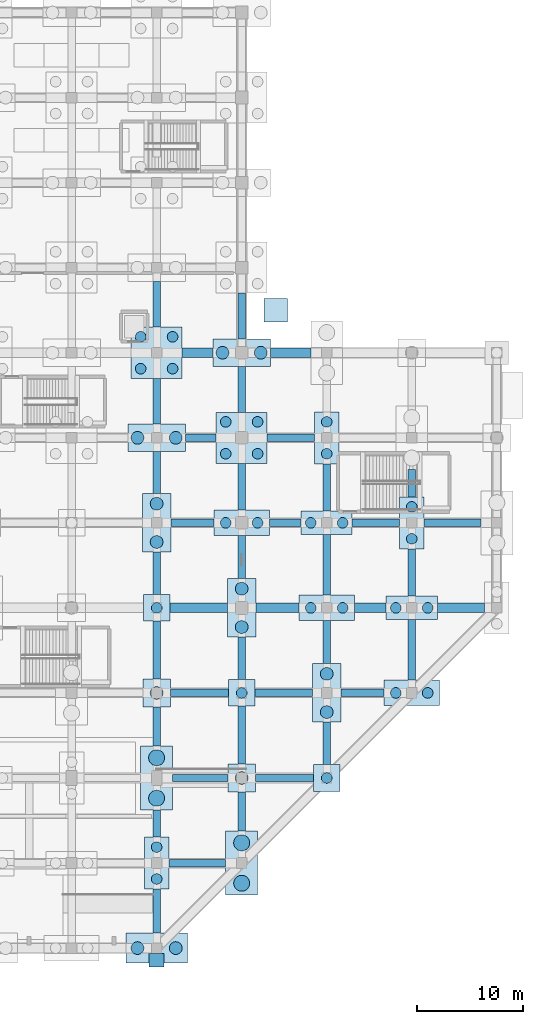
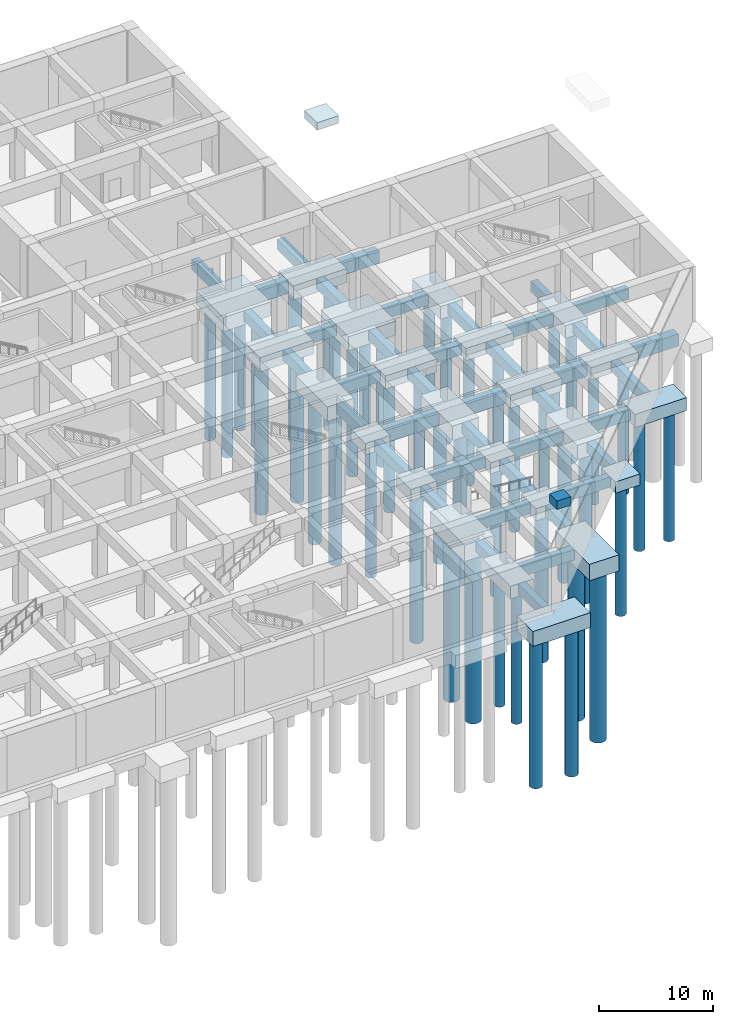
# One storey, part 8 of 26: 65 footings, 45 piles.
"""IFC4 building model written with IfcOpenShell, lengths in metres."""

from ifc_helpers import new_model, si_unit, direction, frame, origin, origin_2d, place, context, subcontext, project, spatial, rectangle, circle, extrude, material, material_profile, profile_set, type_object, element, save


model = new_model("IFC4")

# Units and contexts
model_context = context("Model", 3, precision=1e-05, world=origin(), true_north=direction((0.0, 1.0)))
body_context = subcontext(model_context, "Body", "Model", "MODEL_VIEW")
ifc_project = project(units=[si_unit("LENGTHUNIT", "METRE"), si_unit("AREAUNIT", "SQUARE_METRE"), si_unit("VOLUMEUNIT", "CUBIC_METRE"), si_unit("PLANEANGLEUNIT", "RADIAN"), si_unit("MASSUNIT", "GRAM", prefix="KILO")], contexts=[model_context])

# Site, building, storey
site_placement = place(None, origin())
site = spatial("IfcSite", under=ifc_project, at=site_placement, CompositionType="ELEMENT")
building_placement = place(site_placement, origin())
building = spatial("IfcBuilding", under=site, at=building_placement, Name="Varnela Railside Interchange", CompositionType="ELEMENT")
storey_placement = place(building_placement, frame((0.0, 0.0, -12.60009765625)))
storey = spatial("IfcBuildingStorey", under=building, at=storey_placement, Name="B2", CompositionType="ELEMENT", Elevation=-12.60009765625)

# Footing
ifc_material_1 = material(Name="Concrete C50", Category="concrete")
footing_type_1 = type_object("IfcFootingType", Name="Apron Canopy Pad AP-02", PredefinedType="PAD_FOOTING", material=ifc_material_1)
footing_1_placement = place(storey_placement, frame((143.199951171875, 66.0, 11.60009765625), z_axis=(0.0, 0.0, 1.0), x_axis=(1.0, 0.0, 0.0)))
element("IfcFooting", 1, at=footing_1_placement, inside=storey, type_object=footing_type_1, Name="Apron Canopy Pad AP-02 (FT-0548)", PredefinedType="PAD_FOOTING", context=body_context, shape_type="SweptSolid", body=[
    extrude(rectangle(XDim=2.199951171875, YDim=2.199951171875, at=origin_2d()), origin(), (0.0, 0.0, 1.0), 0.800048828125),
])

# Piles
ifc_material_2 = material(Name="Concrete C40", Category="concrete")
ifc_material_profile_1 = material_profile(ifc_material_2, circle(Radius=0.5, at=origin_2d()), Name="BORED PILE D1000")
ifc_profile_set_1 = profile_set([ifc_material_profile_1], Name="Concrete C40")
pile_type_1 = type_object("IfcPileType", Name="Bored Pile D1000 L14m", PredefinedType="BORED", material=ifc_profile_set_1)
for number, where, z_axis, x_axis, name in (
    (2, (132.0, 12.5, -2.14990234375), (0.0, 0.0, -1.0), (1.0, 0.0, 0.0), "Bored Pile D1000 L14m"),
    (3, (132.0, 15.5, -2.14990234375), (0.0, 0.0, -1.0), (1.0, 0.0, 0.0), "Bored Pile D1000 L14m"),
    (4, (132.0, 38.0, -2.0), (0.0, 0.0, -1.0), (1.0, 0.0, 0.0), "Bored Pile D1000 L14m"),
    (5, (130.5, 60.5, -2.2998046875), (0.0, 0.0, -1.0), (1.0, 0.0, 0.0), "Bored Pile D1000 L14m"),
    (6, (133.5, 60.5, -2.2998046875), (0.0, 0.0, -1.0), (1.0, 0.0, 0.0), "Bored Pile D1000 L14m"),
    (7, (130.5, 63.5, -2.2998046875), (0.0, 0.0, -1.0), (1.0, 0.0, 0.0), "Bored Pile D1000 L14m"),
    (8, (133.5, 63.5, -2.2998046875), (0.0, 0.0, -1.0), (1.0, 0.0, 0.0), "Bored Pile D1000 L14m"),
    (9, (140.0, 30.0, -2.0), (0.0, 0.0, -1.0), (1.0, 0.0, 0.0), "Bored Pile D1000 L14m"),
    (10, (138.5, 46.0, -2.199951171875), (0.0, 0.0, -1.0), (1.0, 0.0, 0.0), "Bored Pile D1000 L14m"),
    (11, (141.5, 46.0, -2.199951171875), (0.0, 0.0, -1.0), (1.0, 0.0, 0.0), "Bored Pile D1000 L14m"),
    (12, (138.5, 52.5, -2.2998046875), (0.0, 0.0, -1.0), (1.0, 0.0, 0.0), "Bored Pile D1000 L14m"),
    (13, (141.5, 52.5, -2.2998046875), (0.0, 0.0, -1.0), (1.0, 0.0, 0.0), "Bored Pile D1000 L14m"),
    (14, (138.5, 55.5, -2.2998046875), (0.0, 0.0, -1.0), (1.0, 0.0, 0.0), "Bored Pile D1000 L14m"),
    (15, (141.5, 55.5, -2.2998046875), (0.0, 0.0, -1.0), (1.0, 0.0, 0.0), "Bored Pile D1000 L14m"),
    (16, (148.0, 22.0, -2.0), (0.0, 0.0, -1.0), (1.0, 0.0, 0.0), "Bored Pile D1000 L14m"),
    (17, (146.5, 38.0, -2.199951171875), (0.0, 0.0, -1.0), (1.0, 0.0, 0.0), "Bored Pile D1000 L14m"),
    (18, (149.5, 38.0, -2.199951171875), (0.0, 0.0, -1.0), (1.0, 0.0, 0.0), "Bored Pile D1000 L14m"),
    (19, (146.5, 46.0, -2.099853515625), (0.0, 0.0, -1.0), (1.0, 0.0, 0.0), "Bored Pile D1000 L14m"),
    (20, (149.5, 46.0, -2.099853515625), (0.0, 0.0, -1.0), (1.0, 0.0, 0.0), "Bored Pile D1000 L14m"),
    (21, (148.0, 52.5, -2.14990234375), (0.0, 0.0, -1.0), (1.0, 0.0, 0.0), "Bored Pile D1000 L14m"),
    (22, (148.0, 55.5, -2.14990234375), (0.0, 0.0, -1.0), (1.0, 0.0, 0.0), "Bored Pile D1000 L14m"),
    (23, (154.5, 30.0, -2.199951171875), (0.0, 0.0, -1.0), (1.0, 0.0, 0.0), "Bored Pile D1000 L14m"),
    (24, (157.5, 30.0, -2.199951171875), (0.0, 0.0, -1.0), (1.0, 0.0, 0.0), "Bored Pile D1000 L14m"),
    (25, (154.5, 38.0, -2.099853515625), (0.0, 0.0, -1.0), (1.0, 0.0, 0.0), "Bored Pile D1000 L14m"),
    (26, (157.5, 38.0, -2.099853515625), (0.0, 0.0, -1.0), (1.0, 0.0, 0.0), "Bored Pile D1000 L14m"),
    (27, (156.0, 44.5, -2.14990234375), (0.0, 0.0, -1.0), (1.0, 0.0, 0.0), "Bored Pile D1000 L14m"),
    (28, (156.0, 47.5, -2.14990234375), (0.0, 0.0, -1.0), (1.0, 0.0, 0.0), "Bored Pile D1000 L14m"),
):
    element("IfcPile", number, at=place(storey_placement, frame(where, z_axis=z_axis, x_axis=x_axis)), inside=storey, type_object=pile_type_1, Name=name, PredefinedType="BORED", context=body_context, shape_type="SweptSolid", body=[
        extrude(circle(Radius=0.5, at=origin_2d()), origin(), (0.0, 0.0, 1.0), 14.0),
    ])
ifc_material_profile_2 = material_profile(ifc_material_2, circle(Radius=0.60009765625, at=origin_2d()), Name="BORED PILE D1200")
ifc_profile_set_2 = profile_set([ifc_material_profile_2], Name="Concrete C40")
pile_type_2 = type_object("IfcPileType", Name="Bored Pile D1200 L16m", PredefinedType="BORED", material=ifc_profile_set_2)
for number, where, z_axis, x_axis, name in (
    (29, (130.199951171875, 6.0, -2.39990234375), (0.0, 0.0, -1.0), (1.0, 0.0, 0.0), "Bored Pile D1200 L16m"),
    (30, (133.800048828125, 6.0, -2.39990234375), (0.0, 0.0, -1.0), (1.0, 0.0, 0.0), "Bored Pile D1200 L16m"),
    (31, (132.0, 30.0, -2.099853515625), (0.0, 0.0, -1.0), (1.0, 0.0, 0.0), "Bored Pile D1200 L16m"),
    (32, (132.0, 44.199951171875, -2.349853515625), (0.0, 0.0, -1.0), (1.0, 0.0, 0.0), "Bored Pile D1200 L16m"),
    (33, (132.0, 47.800048828125, -2.349853515625), (0.0, 0.0, -1.0), (1.0, 0.0, 0.0), "Bored Pile D1200 L16m"),
    (34, (130.199951171875, 54.0, -2.2998046875), (0.0, 0.0, -1.0), (1.0, 0.0, 0.0), "Bored Pile D1200 L16m"),
    (35, (133.800048828125, 54.0, -2.2998046875), (0.0, 0.0, -1.0), (1.0, 0.0, 0.0), "Bored Pile D1200 L16m"),
    (36, (140.0, 22.0, -2.099853515625), (0.0, 0.0, -1.0), (1.0, 0.0, 0.0), "Bored Pile D1200 L16m"),
    (37, (140.0, 36.199951171875, -2.349853515625), (0.0, 0.0, -1.0), (1.0, 0.0, 0.0), "Bored Pile D1200 L16m"),
    (38, (140.0, 39.800048828125, -2.349853515625), (0.0, 0.0, -1.0), (1.0, 0.0, 0.0), "Bored Pile D1200 L16m"),
    (39, (138.199951171875, 62.0, -2.2998046875), (0.0, 0.0, -1.0), (1.0, 0.0, 0.0), "Bored Pile D1200 L16m"),
    (40, (141.800048828125, 62.0, -2.2998046875), (0.0, 0.0, -1.0), (1.0, 0.0, 0.0), "Bored Pile D1200 L16m"),
    (41, (148.0, 28.199951171875, -2.349853515625), (0.0, 0.0, -1.0), (1.0, 0.0, 0.0), "Bored Pile D1200 L16m"),
    (42, (148.0, 31.800048828125, -2.349853515625), (0.0, 0.0, -1.0), (1.0, 0.0, 0.0), "Bored Pile D1200 L16m"),
):
    element("IfcPile", number, at=place(storey_placement, frame(where, z_axis=z_axis, x_axis=x_axis)), inside=storey, type_object=pile_type_2, Name=name, PredefinedType="BORED", context=body_context, shape_type="SweptSolid", body=[
        extrude(circle(Radius=0.60009765625, at=origin_2d()), origin(), (0.0, 0.0, 1.0), 16.0),
    ])
ifc_material_profile_3 = material_profile(ifc_material_2, circle(Radius=0.75, at=origin_2d()), Name="BORED PILE D1500")
ifc_profile_set_3 = profile_set([ifc_material_profile_3], Name="Concrete C40")
pile_type_3 = type_object("IfcPileType", Name="Bored Pile D1500 L18m", PredefinedType="BORED", material=ifc_profile_set_3)
for number, where, z_axis, x_axis, name in (
    (43, (132.0, 20.10009765625, -2.5498046875), (0.0, 0.0, -1.0), (1.0, 0.0, 0.0), "Bored Pile D1500 L18m"),
    (44, (132.0, 23.89990234375, -2.5498046875), (0.0, 0.0, -1.0), (1.0, 0.0, 0.0), "Bored Pile D1500 L18m"),
    (45, (140.0, 12.10009765625, -2.5498046875), (0.0, 0.0, -1.0), (1.0, 0.0, 0.0), "Bored Pile D1500 L18m"),
    (46, (140.0, 15.89990234375, -2.5498046875), (0.0, 0.0, -1.0), (1.0, 0.0, 0.0), "Bored Pile D1500 L18m"),
):
    element("IfcPile", number, at=place(storey_placement, frame(where, z_axis=z_axis, x_axis=x_axis)), inside=storey, type_object=pile_type_3, Name=name, PredefinedType="BORED", context=body_context, shape_type="SweptSolid", body=[
        extrude(circle(Radius=0.75, at=origin_2d()), origin(), (0.0, 0.0, 1.0), 18.0),
    ])

# Footings
footing_type_2 = type_object("IfcFootingType", Name="Four-Pile Cap PC-06", PredefinedType="PILE_CAP", material=ifc_material_1)
for number, where, z_axis, x_axis, name in (
    (47, (132.0, 62.0, -2.2998046875), (0.0, 0.0, 1.0), (1.0, 0.0, 0.0), "Four-Pile Cap PC-06 (FT-0082)"),
    (48, (140.0, 54.0, -2.2998046875), (0.0, 0.0, 1.0), (1.0, 0.0, 0.0), "Four-Pile Cap PC-06 (FT-0092)"),
):
    element("IfcFooting", number, at=place(storey_placement, frame(where, z_axis=z_axis, x_axis=x_axis)), inside=storey, type_object=footing_type_2, Name=name, PredefinedType="PILE_CAP", context=body_context, shape_type="SweptSolid", body=[
        extrude(rectangle(XDim=4.800048828125, YDim=4.800048828125, at=origin_2d()), origin(), (0.0, 0.0, 1.0), 1.5),
    ])
footing_type_3 = type_object("IfcFootingType", Name="Ground Tie Beam GB-01", PredefinedType="FOOTING_BEAM", material=ifc_material_1)
footing_2_placement = place(storey_placement, frame((132.0, 9.47509765625, -1.89990234375), z_axis=(0.0, 0.0, 1.0), x_axis=(1.0, 0.0, 0.0)))
element("IfcFooting", 49, at=footing_2_placement, inside=storey, type_object=footing_type_3, Name="Ground Tie Beam GB-01 (FT-0438)", PredefinedType="FOOTING_BEAM", context=body_context, shape_type="SweptSolid", body=[
    extrude(rectangle(XDim=0.699951171875, YDim=4.14990234375, at=origin_2d()), origin(), (0.0, 0.0, 1.0), 1.10009765625),
])
footing_3_placement = place(storey_placement, frame((132.0, 17.72509765625, -1.89990234375), z_axis=(0.0, 0.0, 1.0), x_axis=(1.0, 0.0, 0.0)))
element("IfcFooting", 50, at=footing_3_placement, inside=storey, type_object=footing_type_3, Name="Ground Tie Beam GB-01 (FT-0439)", PredefinedType="FOOTING_BEAM", context=body_context, shape_type="SweptSolid", body=[
    extrude(rectangle(XDim=0.699951171875, YDim=2.550048828125, at=origin_2d()), origin(), (0.0, 0.0, 1.0), 1.10009765625),
])
footing_4_placement = place(storey_placement, frame((132.0, 26.85009765625, -1.89990234375), z_axis=(0.0, 0.0, 1.0), x_axis=(1.0, 0.0, 0.0)))
element("IfcFooting", 51, at=footing_4_placement, inside=storey, type_object=footing_type_3, Name="Ground Tie Beam GB-01 (FT-0441)", PredefinedType="FOOTING_BEAM", context=body_context, shape_type="SweptSolid", body=[
    extrude(rectangle(XDim=0.699951171875, YDim=3.699951171875, at=origin_2d()), origin(), (0.0, 0.0, 1.0), 1.10009765625),
])
footing_5_placement = place(storey_placement, frame((132.0, 34.02490234375, -1.89990234375), z_axis=(0.0, 0.0, 1.0), x_axis=(1.0, 0.0, 0.0)))
element("IfcFooting", 52, at=footing_5_placement, inside=storey, type_object=footing_type_3, Name="Ground Tie Beam GB-01 (FT-0442)", PredefinedType="FOOTING_BEAM", context=body_context, shape_type="SweptSolid", body=[
    extrude(rectangle(XDim=0.699951171875, YDim=5.449951171875, at=origin_2d()), origin(), (0.0, 0.0, 1.0), 1.10009765625),
])
footing_6_placement = place(storey_placement, frame((132.0, 41.25, -1.89990234375), z_axis=(0.0, 0.0, 1.0), x_axis=(1.0, 0.0, 0.0)))
element("IfcFooting", 53, at=footing_6_placement, inside=storey, type_object=footing_type_3, Name="Ground Tie Beam GB-01 (FT-0443)", PredefinedType="FOOTING_BEAM", context=body_context, shape_type="SweptSolid", body=[
    extrude(rectangle(XDim=0.699951171875, YDim=4.0, at=origin_2d()), origin(), (0.0, 0.0, 1.0), 1.10009765625),
])
footing_7_placement = place(storey_placement, frame((132.0, 50.72509765625, -1.89990234375), z_axis=(0.0, 0.0, 1.0), x_axis=(1.0, 0.0, 0.0)))
element("IfcFooting", 54, at=footing_7_placement, inside=storey, type_object=footing_type_3, Name="Ground Tie Beam GB-01 (FT-0444)", PredefinedType="FOOTING_BEAM", context=body_context, shape_type="SweptSolid", body=[
    extrude(rectangle(XDim=0.699951171875, YDim=3.949951171875, at=origin_2d()), origin(), (0.0, 0.0, 1.0), 1.10009765625),
])
for number, where, z_axis, x_axis, name in (
    (55, (132.0, 57.449951171875, -1.89990234375), (0.0, 0.0, 1.0), (1.0, 0.0, 0.0), "Ground Tie Beam GB-01 (FT-0445)"),
    (56, (132.0, 66.550048828125, -1.89990234375), (0.0, 0.0, 1.0), (1.0, 0.0, 0.0), "Ground Tie Beam GB-01 (FT-0446)"),
):
    element("IfcFooting", number, at=place(storey_placement, frame(where, z_axis=z_axis, x_axis=x_axis)), inside=storey, type_object=footing_type_3, Name=name, PredefinedType="FOOTING_BEAM", context=body_context, shape_type="SweptSolid", body=[
        extrude(rectangle(XDim=0.699951171875, YDim=4.300048828125, at=origin_2d()), origin(), (0.0, 0.0, 1.0), 1.10009765625),
    ])
footing_8_placement = place(storey_placement, frame((140.0, 18.85009765625, -1.89990234375), z_axis=(0.0, 0.0, 1.0), x_axis=(1.0, 0.0, 0.0)))
element("IfcFooting", 57, at=footing_8_placement, inside=storey, type_object=footing_type_3, Name="Ground Tie Beam GB-01 (FT-0449)", PredefinedType="FOOTING_BEAM", context=body_context, shape_type="SweptSolid", body=[
    extrude(rectangle(XDim=0.699951171875, YDim=3.699951171875, at=origin_2d()), origin(), (0.0, 0.0, 1.0), 1.10009765625),
])
footing_9_placement = place(storey_placement, frame((140.0, 26.02490234375, -1.89990234375), z_axis=(0.0, 0.0, 1.0), x_axis=(1.0, 0.0, 0.0)))
element("IfcFooting", 58, at=footing_9_placement, inside=storey, type_object=footing_type_3, Name="Ground Tie Beam GB-01 (FT-0451)", PredefinedType="FOOTING_BEAM", context=body_context, shape_type="SweptSolid", body=[
    extrude(rectangle(XDim=0.699951171875, YDim=5.449951171875, at=origin_2d()), origin(), (0.0, 0.0, 1.0), 1.10009765625),
])
footing_10_placement = place(storey_placement, frame((140.0, 33.25, -1.89990234375), z_axis=(0.0, 0.0, 1.0), x_axis=(1.0, 0.0, 0.0)))
element("IfcFooting", 59, at=footing_10_placement, inside=storey, type_object=footing_type_3, Name="Ground Tie Beam GB-01 (FT-0452)", PredefinedType="FOOTING_BEAM", context=body_context, shape_type="SweptSolid", body=[
    extrude(rectangle(XDim=0.699951171875, YDim=4.0, at=origin_2d()), origin(), (0.0, 0.0, 1.0), 1.10009765625),
])
footing_11_placement = place(storey_placement, frame((140.0, 42.77490234375, -1.89990234375), z_axis=(0.0, 0.0, 1.0), x_axis=(1.0, 0.0, 0.0)))
element("IfcFooting", 60, at=footing_11_placement, inside=storey, type_object=footing_type_3, Name="Ground Tie Beam GB-01 (FT-0453)", PredefinedType="FOOTING_BEAM", context=body_context, shape_type="SweptSolid", body=[
    extrude(rectangle(XDim=0.699951171875, YDim=4.050048828125, at=origin_2d()), origin(), (0.0, 0.0, 1.0), 1.10009765625),
])
footing_12_placement = place(storey_placement, frame((140.0, 49.39990234375, -1.89990234375), z_axis=(0.0, 0.0, 1.0), x_axis=(1.0, 0.0, 0.0)))
element("IfcFooting", 61, at=footing_12_placement, inside=storey, type_object=footing_type_3, Name="Ground Tie Beam GB-01 (FT-0454)", PredefinedType="FOOTING_BEAM", context=body_context, shape_type="SweptSolid", body=[
    extrude(rectangle(XDim=0.699951171875, YDim=4.39990234375, at=origin_2d()), origin(), (0.0, 0.0, 1.0), 1.10009765625),
])
for number, where, z_axis, x_axis, name in (
    (62, (140.0, 58.550048828125, -1.89990234375), (0.0, 0.0, 1.0), (1.0, 0.0, 0.0), "Ground Tie Beam GB-01 (FT-0455)"),
    (63, (140.0, 65.449951171875, -1.89990234375), (0.0, 0.0, 1.0), (1.0, 0.0, 0.0), "Ground Tie Beam GB-01 (FT-0456)"),
):
    element("IfcFooting", number, at=place(storey_placement, frame(where, z_axis=z_axis, x_axis=x_axis)), inside=storey, type_object=footing_type_3, Name=name, PredefinedType="FOOTING_BEAM", context=body_context, shape_type="SweptSolid", body=[
        extrude(rectangle(XDim=0.699951171875, YDim=4.300048828125, at=origin_2d()), origin(), (0.0, 0.0, 1.0), 1.10009765625),
    ])
footing_13_placement = place(storey_placement, frame((148.0, 25.25, -1.89990234375), z_axis=(0.0, 0.0, 1.0), x_axis=(1.0, 0.0, 0.0)))
element("IfcFooting", 64, at=footing_13_placement, inside=storey, type_object=footing_type_3, Name="Ground Tie Beam GB-01 (FT-0459)", PredefinedType="FOOTING_BEAM", context=body_context, shape_type="SweptSolid", body=[
    extrude(rectangle(XDim=0.699951171875, YDim=4.0, at=origin_2d()), origin(), (0.0, 0.0, 1.0), 1.10009765625),
])
footing_14_placement = place(storey_placement, frame((148.0, 34.77490234375, -1.89990234375), z_axis=(0.0, 0.0, 1.0), x_axis=(1.0, 0.0, 0.0)))
element("IfcFooting", 65, at=footing_14_placement, inside=storey, type_object=footing_type_3, Name="Ground Tie Beam GB-01 (FT-0460)", PredefinedType="FOOTING_BEAM", context=body_context, shape_type="SweptSolid", body=[
    extrude(rectangle(XDim=0.699951171875, YDim=4.050048828125, at=origin_2d()), origin(), (0.0, 0.0, 1.0), 1.10009765625),
])
footing_15_placement = place(storey_placement, frame((148.0, 42.050048828125, -1.89990234375), z_axis=(0.0, 0.0, 1.0), x_axis=(1.0, 0.0, 0.0)))
element("IfcFooting", 66, at=footing_15_placement, inside=storey, type_object=footing_type_3, Name="Ground Tie Beam GB-01 (FT-0461)", PredefinedType="FOOTING_BEAM", context=body_context, shape_type="SweptSolid", body=[
    extrude(rectangle(XDim=0.699951171875, YDim=5.699951171875, at=origin_2d()), origin(), (0.0, 0.0, 1.0), 1.10009765625),
])
footing_16_placement = place(storey_placement, frame((148.0, 49.324951171875, -1.89990234375), z_axis=(0.0, 0.0, 1.0), x_axis=(1.0, 0.0, 0.0)))
element("IfcFooting", 67, at=footing_16_placement, inside=storey, type_object=footing_type_3, Name="Ground Tie Beam GB-01 (FT-0462)", PredefinedType="FOOTING_BEAM", context=body_context, shape_type="SweptSolid", body=[
    extrude(rectangle(XDim=0.699951171875, YDim=4.449951171875, at=origin_2d()), origin(), (0.0, 0.0, 1.0), 1.10009765625),
])
footing_17_placement = place(storey_placement, frame((156.0, 34.050048828125, -1.89990234375), z_axis=(0.0, 0.0, 1.0), x_axis=(1.0, 0.0, 0.0)))
element("IfcFooting", 68, at=footing_17_placement, inside=storey, type_object=footing_type_3, Name="Ground Tie Beam GB-01 (FT-0471)", PredefinedType="FOOTING_BEAM", context=body_context, shape_type="SweptSolid", body=[
    extrude(rectangle(XDim=0.699951171875, YDim=5.699951171875, at=origin_2d()), origin(), (0.0, 0.0, 1.0), 1.10009765625),
])
footing_18_placement = place(storey_placement, frame((156.0, 41.324951171875, -1.89990234375), z_axis=(0.0, 0.0, 1.0), x_axis=(1.0, 0.0, 0.0)))
element("IfcFooting", 69, at=footing_18_placement, inside=storey, type_object=footing_type_3, Name="Ground Tie Beam GB-01 (FT-0472)", PredefinedType="FOOTING_BEAM", context=body_context, shape_type="SweptSolid", body=[
    extrude(rectangle(XDim=0.699951171875, YDim=4.449951171875, at=origin_2d()), origin(), (0.0, 0.0, 1.0), 1.10009765625),
])
footing_19_placement = place(storey_placement, frame((156.0, 49.72509765625, -1.89990234375), z_axis=(0.0, 0.0, 1.0), x_axis=(1.0, 0.0, 0.0)))
element("IfcFooting", 70, at=footing_19_placement, inside=storey, type_object=footing_type_3, Name="Ground Tie Beam GB-01 (FT-0473)", PredefinedType="FOOTING_BEAM", context=body_context, shape_type="SweptSolid", body=[
    extrude(rectangle(XDim=0.699951171875, YDim=2.550048828125, at=origin_2d()), origin(), (0.0, 0.0, 1.0), 1.10009765625),
])
footing_20_placement = place(storey_placement, frame((135.824951171875, 14.0, -1.89990234375), z_axis=(0.0, 0.0, 1.0), x_axis=(1.0, 0.0, 0.0)))
element("IfcFooting", 71, at=footing_20_placement, inside=storey, type_object=footing_type_3, Name="Ground Tie Beam GB-01 (FT-0226)", PredefinedType="FOOTING_BEAM", context=body_context, shape_type="SweptSolid", body=[
    extrude(rectangle(XDim=5.35009765625, YDim=0.699951171875, at=origin_2d()), origin(), (0.0, 0.0, 1.0), 1.10009765625),
])
footing_21_placement = place(storey_placement, frame((136.10009765625, 22.0, -1.89990234375), z_axis=(0.0, 0.0, 1.0), x_axis=(1.0, 0.0, 0.0)))
element("IfcFooting", 72, at=footing_21_placement, inside=storey, type_object=footing_type_3, Name="Ground Tie Beam GB-01 (FT-0240)", PredefinedType="FOOTING_BEAM", context=body_context, shape_type="SweptSolid", body=[
    extrude(rectangle(XDim=5.199951171875, YDim=0.699951171875, at=origin_2d()), origin(), (0.0, 0.0, 1.0), 1.10009765625),
])
for number, where, z_axis, x_axis, name in (
    (73, (144.02490234375, 22.0, -1.89990234375), (0.0, 0.0, 1.0), (1.0, 0.0, 0.0), "Ground Tie Beam GB-01 (FT-0241)"),
    (74, (136.02490234375, 30.0, -1.89990234375), (0.0, 0.0, 1.0), (1.0, 0.0, 0.0), "Ground Tie Beam GB-01 (FT-0257)"),
):
    element("IfcFooting", number, at=place(storey_placement, frame(where, z_axis=z_axis, x_axis=x_axis)), inside=storey, type_object=footing_type_3, Name=name, PredefinedType="FOOTING_BEAM", context=body_context, shape_type="SweptSolid", body=[
        extrude(rectangle(XDim=5.449951171875, YDim=0.699951171875, at=origin_2d()), origin(), (0.0, 0.0, 1.0), 1.10009765625),
    ])
footing_22_placement = place(storey_placement, frame((143.949951171875, 30.0, -1.89990234375), z_axis=(0.0, 0.0, 1.0), x_axis=(1.0, 0.0, 0.0)))
element("IfcFooting", 75, at=footing_22_placement, inside=storey, type_object=footing_type_3, Name="Ground Tie Beam GB-01 (FT-0258)", PredefinedType="FOOTING_BEAM", context=body_context, shape_type="SweptSolid", body=[
    extrude(rectangle(XDim=5.39990234375, YDim=0.699951171875, at=origin_2d()), origin(), (0.0, 0.0, 1.0), 1.10009765625),
])
for number, where, z_axis, x_axis, name in (
    (76, (151.375, 30.0, -1.89990234375), (0.0, 0.0, 1.0), (1.0, 0.0, 0.0), "Ground Tie Beam GB-01 (FT-0259)"),
    (77, (135.375, 46.0, -1.89990234375), (0.0, 0.0, 1.0), (1.0, 0.0, 0.0), "Ground Tie Beam GB-01 (FT-0296)"),
):
    element("IfcFooting", number, at=place(storey_placement, frame(where, z_axis=z_axis, x_axis=x_axis)), inside=storey, type_object=footing_type_3, Name=name, PredefinedType="FOOTING_BEAM", context=body_context, shape_type="SweptSolid", body=[
        extrude(rectangle(XDim=4.050048828125, YDim=0.699951171875, at=origin_2d()), origin(), (0.0, 0.0, 1.0), 1.10009765625),
    ])
footing_23_placement = place(storey_placement, frame((144.10009765625, 46.0, -1.89990234375), z_axis=(0.0, 0.0, 1.0), x_axis=(1.0, 0.0, 0.0)))
element("IfcFooting", 78, at=footing_23_placement, inside=storey, type_object=footing_type_3, Name="Ground Tie Beam GB-01 (FT-0297)", PredefinedType="FOOTING_BEAM", context=body_context, shape_type="SweptSolid", body=[
    extrude(rectangle(XDim=3.0, YDim=0.699951171875, at=origin_2d()), origin(), (0.0, 0.0, 1.0), 1.10009765625),
])
footing_24_placement = place(storey_placement, frame((152.625, 46.0, -1.89990234375), z_axis=(0.0, 0.0, 1.0), x_axis=(1.0, 0.0, 0.0)))
element("IfcFooting", 79, at=footing_24_placement, inside=storey, type_object=footing_type_3, Name="Ground Tie Beam GB-01 (FT-0298)", PredefinedType="FOOTING_BEAM", context=body_context, shape_type="SweptSolid", body=[
    extrude(rectangle(XDim=4.449951171875, YDim=0.699951171875, at=origin_2d()), origin(), (0.0, 0.0, 1.0), 1.10009765625),
])
footing_25_placement = place(storey_placement, frame((159.824951171875, 46.0, -1.89990234375), z_axis=(0.0, 0.0, 1.0), x_axis=(1.0, 0.0, 0.0)))
element("IfcFooting", 80, at=footing_25_placement, inside=storey, type_object=footing_type_3, Name="Ground Tie Beam GB-01 (FT-0299)", PredefinedType="FOOTING_BEAM", context=body_context, shape_type="SweptSolid", body=[
    extrude(rectangle(XDim=5.35009765625, YDim=0.699951171875, at=origin_2d()), origin(), (0.0, 0.0, 1.0), 1.10009765625),
])
footing_26_placement = place(storey_placement, frame((136.14990234375, 54.0, -1.89990234375), z_axis=(0.0, 0.0, 1.0), x_axis=(1.0, 0.0, 0.0)))
element("IfcFooting", 81, at=footing_26_placement, inside=storey, type_object=footing_type_3, Name="Ground Tie Beam GB-01 (FT-0316)", PredefinedType="FOOTING_BEAM", context=body_context, shape_type="SweptSolid", body=[
    extrude(rectangle(XDim=2.89990234375, YDim=0.699951171875, at=origin_2d()), origin(), (0.0, 0.0, 1.0), 1.10009765625),
])
footing_27_placement = place(storey_placement, frame((144.625, 54.0, -1.89990234375), z_axis=(0.0, 0.0, 1.0), x_axis=(1.0, 0.0, 0.0)))
element("IfcFooting", 82, at=footing_27_placement, inside=storey, type_object=footing_type_3, Name="Ground Tie Beam GB-01 (FT-0317)", PredefinedType="FOOTING_BEAM", context=body_context, shape_type="SweptSolid", body=[
    extrude(rectangle(XDim=4.449951171875, YDim=0.699951171875, at=origin_2d()), origin(), (0.0, 0.0, 1.0), 1.10009765625),
])
footing_type_4 = type_object("IfcFootingType", Name="Ground Tie Beam GB-03", PredefinedType="FOOTING_BEAM", material=ifc_material_1)
footing_28_placement = place(storey_placement, frame((135.949951171875, 38.0, -2.10009765625), z_axis=(0.0, 0.0, 1.0), x_axis=(1.0, 0.0, 0.0)))
element("IfcFooting", 83, at=footing_28_placement, inside=storey, type_object=footing_type_4, Name="Ground Tie Beam GB-03 (FT-0276)", PredefinedType="FOOTING_BEAM", context=body_context, shape_type="SweptSolid", body=[
    extrude(rectangle(XDim=5.39990234375, YDim=0.89990234375, at=origin_2d()), origin(), (0.0, 0.0, 1.0), 1.300048828125),
])
footing_29_placement = place(storey_placement, frame((143.375, 38.0, -2.10009765625), z_axis=(0.0, 0.0, 1.0), x_axis=(1.0, 0.0, 0.0)))
element("IfcFooting", 84, at=footing_29_placement, inside=storey, type_object=footing_type_4, Name="Ground Tie Beam GB-03 (FT-0277)", PredefinedType="FOOTING_BEAM", context=body_context, shape_type="SweptSolid", body=[
    extrude(rectangle(XDim=4.050048828125, YDim=0.89990234375, at=origin_2d()), origin(), (0.0, 0.0, 1.0), 1.300048828125),
])
footing_30_placement = place(storey_placement, frame((152.10009765625, 38.0, -2.10009765625), z_axis=(0.0, 0.0, 1.0), x_axis=(1.0, 0.0, 0.0)))
element("IfcFooting", 85, at=footing_30_placement, inside=storey, type_object=footing_type_4, Name="Ground Tie Beam GB-03 (FT-0278)", PredefinedType="FOOTING_BEAM", context=body_context, shape_type="SweptSolid", body=[
    extrude(rectangle(XDim=3.0, YDim=0.89990234375, at=origin_2d()), origin(), (0.0, 0.0, 1.0), 1.300048828125),
])
footing_31_placement = place(storey_placement, frame((160.625, 38.0, -2.10009765625), z_axis=(0.0, 0.0, 1.0), x_axis=(1.0, 0.0, 0.0)))
element("IfcFooting", 86, at=footing_31_placement, inside=storey, type_object=footing_type_4, Name="Ground Tie Beam GB-03 (FT-0279)", PredefinedType="FOOTING_BEAM", context=body_context, shape_type="SweptSolid", body=[
    extrude(rectangle(XDim=4.449951171875, YDim=0.89990234375, at=origin_2d()), origin(), (0.0, 0.0, 1.0), 1.300048828125),
])
footing_32_placement = place(storey_placement, frame((135.85009765625, 62.0, -2.10009765625), z_axis=(0.0, 0.0, 1.0), x_axis=(1.0, 0.0, 0.0)))
element("IfcFooting", 87, at=footing_32_placement, inside=storey, type_object=footing_type_4, Name="Ground Tie Beam GB-03 (FT-0335)", PredefinedType="FOOTING_BEAM", context=body_context, shape_type="SweptSolid", body=[
    extrude(rectangle(XDim=2.89990234375, YDim=0.89990234375, at=origin_2d()), origin(), (0.0, 0.0, 1.0), 1.300048828125),
])
footing_33_placement = place(storey_placement, frame((144.60009765625, 62.0, -2.10009765625), z_axis=(0.0, 0.0, 1.0), x_axis=(1.0, 0.0, 0.0)))
element("IfcFooting", 88, at=footing_33_placement, inside=storey, type_object=footing_type_4, Name="Ground Tie Beam GB-03 (FT-0336)", PredefinedType="FOOTING_BEAM", context=body_context, shape_type="SweptSolid", body=[
    extrude(rectangle(XDim=3.800048828125, YDim=0.89990234375, at=origin_2d()), origin(), (0.0, 0.0, 1.0), 1.300048828125),
])
footing_type_5 = type_object("IfcFootingType", Name="Portal Plinth Pad AP-03", PredefinedType="PAD_FOOTING", material=ifc_material_1)
footing_34_placement = place(storey_placement, frame((132.0, 4.85009765625, 11.7001953125), z_axis=(0.0, 0.0, 1.0), x_axis=(1.0, 0.0, 0.0)))
element("IfcFooting", 89, at=footing_34_placement, inside=storey, type_object=footing_type_5, Name="Portal Plinth Pad AP-03 (FT-0561)", PredefinedType="PAD_FOOTING", context=body_context, shape_type="SweptSolid", body=[
    extrude(rectangle(XDim=1.39990234375, YDim=1.300048828125, at=origin_2d()), origin(), (0.0, 0.0, 1.0), 0.89990234375),
])
footing_type_6 = type_object("IfcFootingType", Name="Single Large Pile Cap PC-07", PredefinedType="PILE_CAP", material=ifc_material_1)
for number, where, z_axis, x_axis, name in (
    (90, (132.0, 30.0, -2.10009765625), (0.0, 0.0, 1.0), (1.0, 0.0, 0.0), "Single Large Pile Cap PC-07 (FT-0078)"),
    (91, (140.0, 22.0, -2.10009765625), (0.0, 0.0, 1.0), (1.0, 0.0, 0.0), "Single Large Pile Cap PC-07 (FT-0088)"),
):
    element("IfcFooting", number, at=place(storey_placement, frame(where, z_axis=z_axis, x_axis=x_axis)), inside=storey, type_object=footing_type_6, Name=name, PredefinedType="PILE_CAP", context=body_context, shape_type="SweptSolid", body=[
        extrude(rectangle(XDim=2.60009765625, YDim=2.60009765625, at=origin_2d()), origin(), (0.0, 0.0, 1.0), 1.300048828125),
    ])
footing_type_7 = type_object("IfcFootingType", Name="Single Pile Cap PC-02", PredefinedType="PILE_CAP", material=ifc_material_1)
for number, where, z_axis, x_axis, name in (
    (92, (132.0, 38.0, -2.0), (0.0, 0.0, 1.0), (1.0, 0.0, 0.0), "Single Pile Cap PC-02 (FT-0079)"),
    (93, (140.0, 30.0, -2.0), (0.0, 0.0, 1.0), (1.0, 0.0, 0.0), "Single Pile Cap PC-02 (FT-0089)"),
    (94, (148.0, 22.0, -2.0), (0.0, 0.0, 1.0), (1.0, 0.0, 0.0), "Single Pile Cap PC-02 (FT-0098)"),
):
    element("IfcFooting", number, at=place(storey_placement, frame(where, z_axis=z_axis, x_axis=x_axis)), inside=storey, type_object=footing_type_7, Name=name, PredefinedType="PILE_CAP", context=body_context, shape_type="SweptSolid", body=[
        extrude(rectangle(XDim=2.5, YDim=2.5, at=origin_2d()), origin(), (0.0, 0.0, 1.0), 1.199951171875),
    ])
footing_type_8 = type_object("IfcFootingType", Name="Two-Pile Cap Heavy PC-05", PredefinedType="PILE_CAP", material=ifc_material_1)
for number, where, z_axis, x_axis, name in (
    (95, (140.0, 46.0, -2.199951171875), (0.0, 0.0, 1.0), (1.0, 0.0, 0.0), "Two-Pile Cap Heavy PC-05 (FT-0091)"),
    (96, (148.0, 38.0, -2.199951171875), (0.0, 0.0, 1.0), (1.0, 0.0, 0.0), "Two-Pile Cap Heavy PC-05 (FT-0100)"),
    (97, (156.0, 30.0, -2.199951171875), (0.0, 0.0, 1.0), (1.0, 0.0, 0.0), "Two-Pile Cap Heavy PC-05 (FT-0112)"),
):
    element("IfcFooting", number, at=place(storey_placement, frame(where, z_axis=z_axis, x_axis=x_axis)), inside=storey, type_object=footing_type_8, Name=name, PredefinedType="PILE_CAP", context=body_context, shape_type="SweptSolid", body=[
        extrude(rectangle(XDim=5.199951171875, YDim=2.39990234375, at=origin_2d()), origin(), (0.0, 0.0, 1.0), 1.39990234375),
    ])
footing_type_9 = type_object("IfcFootingType", Name="Two-Pile Cap X D1200 PC-08", PredefinedType="PILE_CAP", material=ifc_material_1)
for number, where, z_axis, x_axis, name in (
    (98, (132.0, 54.0, -2.2998046875), (0.0, 0.0, 1.0), (1.0, 0.0, 0.0), "Two-Pile Cap X D1200 PC-08 (FT-0081)"),
    (99, (140.0, 62.0, -2.2998046875), (0.0, 0.0, 1.0), (1.0, 0.0, 0.0), "Two-Pile Cap X D1200 PC-08 (FT-0093)"),
):
    element("IfcFooting", number, at=place(storey_placement, frame(where, z_axis=z_axis, x_axis=x_axis)), inside=storey, type_object=footing_type_9, Name=name, PredefinedType="PILE_CAP", context=body_context, shape_type="SweptSolid", body=[
        extrude(rectangle(XDim=5.39990234375, YDim=2.60009765625, at=origin_2d()), origin(), (0.0, 0.0, 1.0), 1.5),
    ])
footing_type_10 = type_object("IfcFootingType", Name="Two-Pile Cap X PC-03", PredefinedType="PILE_CAP", material=ifc_material_1)
for number, where, z_axis, x_axis, name in (
    (100, (148.0, 46.0, -2.10009765625), (0.0, 0.0, 1.0), (1.0, 0.0, 0.0), "Two-Pile Cap X PC-03 (FT-0101)"),
    (101, (156.0, 38.0, -2.10009765625), (0.0, 0.0, 1.0), (1.0, 0.0, 0.0), "Two-Pile Cap X PC-03 (FT-0113)"),
):
    element("IfcFooting", number, at=place(storey_placement, frame(where, z_axis=z_axis, x_axis=x_axis)), inside=storey, type_object=footing_type_10, Name=name, PredefinedType="PILE_CAP", context=body_context, shape_type="SweptSolid", body=[
        extrude(rectangle(XDim=4.800048828125, YDim=2.199951171875, at=origin_2d()), origin(), (0.0, 0.0, 1.0), 1.300048828125),
    ])
footing_type_11 = type_object("IfcFootingType", Name="Two-Pile Cap Y D1200 PC-09", PredefinedType="PILE_CAP", material=ifc_material_1)
for number, where, z_axis, x_axis, name in (
    (102, (132.0, 46.0, -2.35009765625), (0.0, 0.0, 1.0), (1.0, 0.0, 0.0), "Two-Pile Cap Y D1200 PC-09 (FT-0080)"),
    (103, (140.0, 38.0, -2.35009765625), (0.0, 0.0, 1.0), (1.0, 0.0, 0.0), "Two-Pile Cap Y D1200 PC-09 (FT-0090)"),
    (104, (148.0, 30.0, -2.35009765625), (0.0, 0.0, 1.0), (1.0, 0.0, 0.0), "Two-Pile Cap Y D1200 PC-09 (FT-0099)"),
):
    element("IfcFooting", number, at=place(storey_placement, frame(where, z_axis=z_axis, x_axis=x_axis)), inside=storey, type_object=footing_type_11, Name=name, PredefinedType="PILE_CAP", context=body_context, shape_type="SweptSolid", body=[
        extrude(rectangle(XDim=2.699951171875, YDim=5.5, at=origin_2d()), origin(), (0.0, 0.0, 1.0), 1.550048828125),
    ])
footing_type_12 = type_object("IfcFootingType", Name="Two-Pile Cap Y PC-04", PredefinedType="PILE_CAP", material=ifc_material_1)
for number, where, z_axis, x_axis, name in (
    (105, (132.0, 14.0, -2.14990234375), (0.0, 0.0, 1.0), (1.0, 0.0, 0.0), "Two-Pile Cap Y PC-04 (FT-0076)"),
    (106, (148.0, 54.0, -2.14990234375), (0.0, 0.0, 1.0), (1.0, 0.0, 0.0), "Two-Pile Cap Y PC-04 (FT-0102)"),
    (107, (156.0, 46.0, -2.14990234375), (0.0, 0.0, 1.0), (1.0, 0.0, 0.0), "Two-Pile Cap Y PC-04 (FT-0114)"),
):
    element("IfcFooting", number, at=place(storey_placement, frame(where, z_axis=z_axis, x_axis=x_axis)), inside=storey, type_object=footing_type_12, Name=name, PredefinedType="PILE_CAP", context=body_context, shape_type="SweptSolid", body=[
        extrude(rectangle(XDim=2.300048828125, YDim=4.89990234375, at=origin_2d()), origin(), (0.0, 0.0, 1.0), 1.35009765625),
    ])
footing_type_13 = type_object("IfcFootingType", Name="Two-Pile Heavy Cap Y PC-14", PredefinedType="PILE_CAP", material=ifc_material_1)
for number, where, z_axis, x_axis, name in (
    (108, (132.0, 22.0, -2.5498046875), (0.0, 0.0, 1.0), (1.0, 0.0, 0.0), "Two-Pile Heavy Cap Y PC-14 (FT-0077)"),
    (109, (140.0, 14.0, -2.5498046875), (0.0, 0.0, 1.0), (1.0, 0.0, 0.0), "Two-Pile Heavy Cap Y PC-14 (FT-0087)"),
):
    element("IfcFooting", number, at=place(storey_placement, frame(where, z_axis=z_axis, x_axis=x_axis)), inside=storey, type_object=footing_type_13, Name=name, PredefinedType="PILE_CAP", context=body_context, shape_type="SweptSolid", body=[
        extrude(rectangle(XDim=3.0, YDim=6.0, at=origin_2d()), origin(), (0.0, 0.0, 1.0), 1.75),
    ])
footing_type_14 = type_object("IfcFootingType", Name="Two-Pile V-Pier Cap PC-10", PredefinedType="PILE_CAP", material=ifc_material_1)
footing_35_placement = place(storey_placement, frame((132.0, 6.0, -2.39990234375), z_axis=(0.0, 0.0, 1.0), x_axis=(1.0, 0.0, 0.0)))
element("IfcFooting", 110, at=footing_35_placement, inside=storey, type_object=footing_type_14, Name="Two-Pile V-Pier Cap PC-10 (FT-0075)", PredefinedType="PILE_CAP", context=body_context, shape_type="SweptSolid", body=[
    extrude(rectangle(XDim=5.800048828125, YDim=2.800048828125, at=origin_2d()), origin(), (0.0, 0.0, 1.0), 1.60009765625),
])

save(model, "model.ifc")
